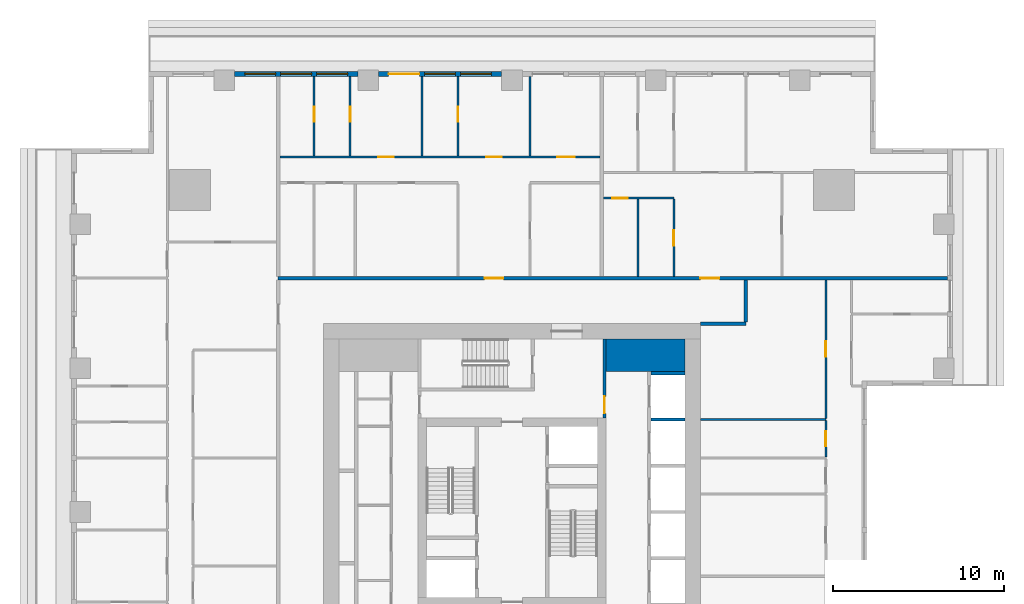
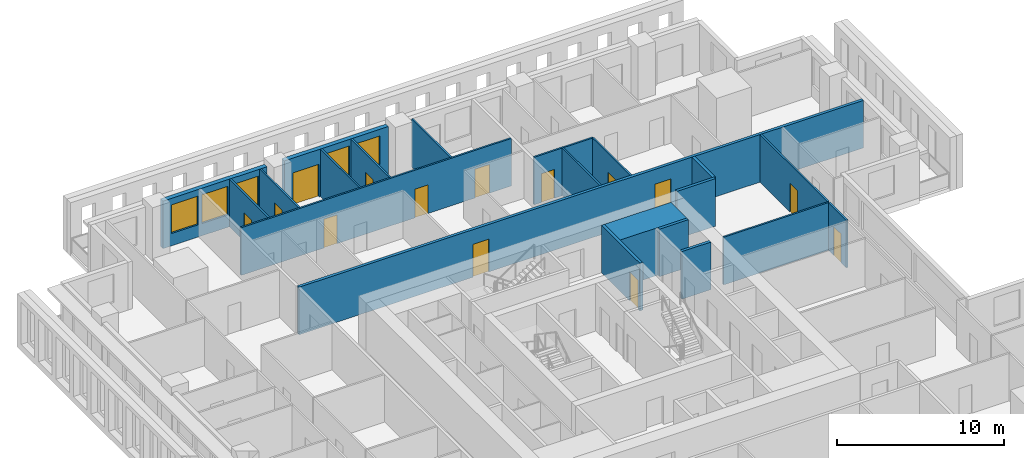
# One storey, part 8 of 16: 21 walls, 14 doors, 5 windows, 19 openings.
"""IFC4 building model written with IfcOpenShell, lengths in metres."""

from ifc_helpers import new_model, si_unit, direction, frame, frame_2d, origin, place, context, subcontext, project, spatial, rectangle, extrude, material, layer, layer_set, type_object, element, fill, save


model = new_model("IFC4")

# Units and contexts
model_context = context("Model", 3, precision=1e-05, world=origin(), true_north=direction((0.0, 1.0)))
body_context = subcontext(model_context, "Body", "Model", "MODEL_VIEW")
ifc_project = project(units=[si_unit("LENGTHUNIT", "METRE"), si_unit("AREAUNIT", "SQUARE_METRE"), si_unit("VOLUMEUNIT", "CUBIC_METRE"), si_unit("PLANEANGLEUNIT", "RADIAN"), si_unit("MASSUNIT", "GRAM", prefix="KILO")], contexts=[model_context])

# Site, building, storey
site_placement = place(None, origin())
site = spatial("IfcSite", under=ifc_project, at=site_placement, CompositionType="ELEMENT")
building_placement = place(site_placement, origin())
building = spatial("IfcBuilding", under=site, at=building_placement, Name="Khepri Terraces", CompositionType="ELEMENT")
storey_placement = place(building_placement, frame((0.0, 0.0, 207.89990234375)))
storey = spatial("IfcBuildingStorey", under=building, at=storey_placement, Name="L49", CompositionType="ELEMENT", Elevation=207.89990234375)

# Walls
ifc_material_1 = material(Name="Concrete C50/60", Category="concrete")
ifc_layer_1 = layer(ifc_material_1, 1.89990234375, Name="Concrete C50/60", Category="concrete")
ifc_layer_set_1 = layer_set([ifc_layer_1], Name="Concrete C50/60")
wall_type_1 = type_object("IfcWallType", Name="Core wall 1900 C50/60", PredefinedType="SHEAR", material=ifc_layer_set_1)
wall_1_placement = place(storey_placement, frame((5.5, 9.14990234375, 0.0), z_axis=(0.0, 0.0, 1.0), x_axis=(1.0, 0.0, 0.0)))
element("IfcWall", 1, at=wall_1_placement, inside=storey, type_object=wall_type_1, Name="Core wall PR04 L49", PredefinedType="SHEAR", context=body_context, shape_type="SweptSolid", body=[
    extrude(rectangle(XDim=4.60009765625, YDim=1.89990234375, at=frame_2d((2.300048828125, 0.0))), origin(), (0.0, 0.0, 1.0), 3.47998046875),
])
ifc_layer_2 = layer(ifc_material_1, 0.199951171875, Name="Concrete C50/60", Category="concrete")
ifc_layer_set_2 = layer_set([ifc_layer_2], Name="Concrete C50/60")
wall_type_2 = type_object("IfcWallType", Name="Core wall 200 C50/60", PredefinedType="SHEAR", material=ifc_layer_set_2)
for number, where, z_axis, x_axis, name in (
    (2, (8.10009765625, 5.39990234375, 0.0), (0.0, 0.0, 1.0), (1.0, 0.0, 0.0), "Core wall SH14 L49"),
    (3, (8.10009765625, 8.10009765625, 0.0), (0.0, 0.0, 1.0), (1.0, 0.0, 0.0), "Core wall SH15 L49"),
):
    element("IfcWall", number, at=place(storey_placement, frame(where, z_axis=z_axis, x_axis=x_axis)), inside=storey, type_object=wall_type_2, Name=name, PredefinedType="SHEAR", context=body_context, shape_type="SweptSolid", body=[
        extrude(rectangle(XDim=2.0, YDim=0.199951171875, at=frame_2d((1.0, 0.0))), origin(), (0.0, 0.0, 1.0), 3.47998046875),
    ])

# Wall, opening, door
ifc_material_2 = material(Name="Fire-rated gypsum board partition")
ifc_layer_3 = layer(ifc_material_2, 0.199951171875, Name="Fire-rated gypsum board partition")
ifc_layer_set_3 = layer_set([ifc_layer_3], Name="Fire-rated gypsum board partition")
wall_type_3 = type_object("IfcWallType", Name="WL-CORE-PART-200", PredefinedType="PARTITIONING", material=ifc_layer_set_3)
wall_2_placement = place(storey_placement, frame((5.39990234375, 5.5, 0.0), z_axis=(0.0, 0.0, 1.0), x_axis=(0.0, 1.0, 0.0)))
wall_2 = element("IfcWall", 4, at=wall_2_placement, inside=storey, type_object=wall_type_3, Name="Core partition PT13 L49", PredefinedType="PARTITIONING", context=body_context, shape_type="SweptSolid", body=[
    extrude(rectangle(XDim=4.60009765625, YDim=0.199951171875, at=frame_2d((2.300048828125, 0.0))), origin(), (0.0, 0.0, 1.0), 3.47998046875),
])
opening_1_placement = place(wall_2_placement, frame((0.25, 0.0, 0.0)))
opening_1 = element("IfcOpeningElement", 5, at=opening_1_placement, cuts=wall_2, Name="Opening L49-C17", PredefinedType="OPENING", context=body_context, shape_type="SweptSolid", body=[
    extrude(rectangle(XDim=1.0, YDim=2.10009765625, at=frame_2d((0.5, 1.050048828125))), frame((0.0, 0.10986328125, 0.0), z_axis=(0.0, -1.0, 0.0), x_axis=(1.0, 0.0, 0.0)), (0.0, 0.0, 1.0), 0.219970703125),
])
ifc_material_3 = material(Name="Painted steel", Category="steel")
door_type_1 = type_object("IfcDoorType", Name="DR-CORE-LOBBY-1000", OperationType="NOTDEFINED", PredefinedType="DOOR", material=ifc_material_3)
door_1_placement = place(opening_1_placement, origin())
door_1 = element("IfcDoor", 6, at=door_1_placement, inside=storey, type_object=door_type_1, Name="Lobby door L49-C17", OperationType="SINGLE_SWING_LEFT", OverallHeight=2.10009765625, OverallWidth=1.0, PredefinedType="DOOR", context=body_context, shape_type="SweptSolid", body=[
    extrude(rectangle(XDim=1.0, YDim=2.10009765625, at=frame_2d((0.5, 1.050048828125))), frame((0.0, 0.02490234375, 0.0), z_axis=(0.0, -1.0, 0.0), x_axis=(1.0, 0.0, 0.0)), (0.0, 0.0, 1.0), 0.050048828125),
])
fill(opening_1, door_1)

# Walls
ifc_material_4 = material(Name="Fire-rated gypsum plasterboard partition, mineral wool")
ifc_layer_4 = layer(ifc_material_4, 0.199951171875, Name="Fire-rated gypsum plasterboard partition, mineral wool")
ifc_layer_set_4 = layer_set([ifc_layer_4], Name="Fire-rated gypsum plasterboard partition, mineral wool")
wall_type_4 = type_object("IfcWallType", Name="WL-CORR-200", PredefinedType="PARTITIONING", material=ifc_layer_set_4)
wall_3_placement = place(storey_placement, frame((11.0, 11.0, 0.0), z_axis=(0.0, 0.0, 1.0), x_axis=(1.0, 0.0, 0.0)))
element("IfcWall", 7, at=wall_3_placement, inside=storey, type_object=wall_type_4, Name="Partition P-070 L49", PredefinedType="PARTITIONING", context=body_context, shape_type="SweptSolid", body=[
    extrude(rectangle(XDim=2.64990234375, YDim=0.199951171875, at=frame_2d((1.324951171875, 0.0))), origin(), (0.0, 0.0, 1.0), 3.47998046875),
])
wall_4_placement = place(storey_placement, frame((13.64990234375, 11.10009765625, 0.0), z_axis=(0.0, 0.0, 1.0), x_axis=(0.0, 1.0, 0.0)))
element("IfcWall", 8, at=wall_4_placement, inside=storey, type_object=wall_type_4, Name="Partition P-071 L49", PredefinedType="PARTITIONING", context=body_context, shape_type="SweptSolid", body=[
    extrude(rectangle(XDim=2.449951171875, YDim=0.199951171875, at=frame_2d((1.22509765625, 0.0))), origin(), (0.0, 0.0, 1.0), 3.47998046875),
])

# Wall, openings, doors
wall_5_placement = place(storey_placement, frame((-13.64990234375, 13.64990234375, 0.0), z_axis=(0.0, 0.0, 1.0), x_axis=(1.0, 0.0, 0.0)))
wall_5 = element("IfcWall", 9, at=wall_5_placement, inside=storey, type_object=wall_type_4, Name="Partition P-075 L49", PredefinedType="PARTITIONING", context=body_context, shape_type="SweptSolid", body=[
    extrude(rectangle(XDim=39.06982421875, YDim=0.199951171875, at=frame_2d((19.534912109375, 0.0))), origin(), (0.0, 0.0, 1.0), 3.47998046875),
])
opening_2_placement = place(wall_5_placement, frame((24.64990234375, 0.0, 0.0)))
opening_2 = element("IfcOpeningElement", 10, at=opening_2_placement, cuts=wall_5, Name="Opening D1", PredefinedType="OPENING", context=body_context, shape_type="SweptSolid", body=[
    extrude(rectangle(XDim=1.10009765625, YDim=2.39990234375, at=frame_2d((0.550048828125, 1.199951171875))), frame((0.0, 0.10986328125, 0.0), z_axis=(0.0, -1.0, 0.0), x_axis=(1.0, 0.0, 0.0)), (0.0, 0.0, 1.0), 0.219970703125),
])
opening_3_placement = place(wall_5_placement, frame((12.050048828125, 0.0, 0.0)))
opening_3 = element("IfcOpeningElement", 11, at=opening_3_placement, cuts=wall_5, Name="Opening D1", PredefinedType="OPENING", context=body_context, shape_type="SweptSolid", body=[
    extrude(rectangle(XDim=1.10009765625, YDim=2.39990234375, at=frame_2d((0.550048828125, 1.199951171875))), frame((0.0, 0.10986328125, 0.0), z_axis=(0.0, -1.0, 0.0), x_axis=(1.0, 0.0, 0.0)), (0.0, 0.0, 1.0), 0.219970703125),
])
ifc_material_5 = material(Name="Solid-core timber door leaf, flat entrance door", Category="wood")
door_type_2 = type_object("IfcDoorType", Name="DR-ENT-1100", OperationType="NOTDEFINED", PredefinedType="DOOR", material=ifc_material_5)
door_2_placement = place(opening_2_placement, origin())
door_2 = element("IfcDoor", 12, at=door_2_placement, inside=storey, type_object=door_type_2, Name="Flat C1 entrance door", OperationType="SINGLE_SWING_RIGHT", OverallHeight=2.39990234375, OverallWidth=1.10009765625, PredefinedType="DOOR", context=body_context, shape_type="SweptSolid", body=[
    extrude(rectangle(XDim=1.10009765625, YDim=2.39990234375, at=frame_2d((0.550048828125, 1.199951171875))), frame((0.0, 0.02490234375, 0.0), z_axis=(0.0, -1.0, 0.0), x_axis=(1.0, 0.0, 0.0)), (0.0, 0.0, 1.0), 0.050048828125),
])
fill(opening_2, door_2)
door_3_placement = place(opening_3_placement, origin())
door_3 = element("IfcDoor", 13, at=door_3_placement, inside=storey, type_object=door_type_2, Name="Flat C2 entrance door", OperationType="SINGLE_SWING_LEFT", OverallHeight=2.39990234375, OverallWidth=1.10009765625, PredefinedType="DOOR", context=body_context, shape_type="SweptSolid", body=[
    extrude(rectangle(XDim=1.10009765625, YDim=2.39990234375, at=frame_2d((0.550048828125, 1.199951171875))), frame((0.0, 0.02490234375, 0.0), z_axis=(0.0, -1.0, 0.0), x_axis=(1.0, 0.0, 0.0)), (0.0, 0.0, 1.0), 0.050048828125),
])
fill(opening_3, door_3)

# Wall, openings, door, windows
ifc_material_6 = material(Name="Precast concrete C50/60 warm stone", Category="masonry")
ifc_layer_5 = layer(ifc_material_6, 0.300048828125, Name="Precast concrete C50/60 warm stone", Category="masonry")
ifc_layer_set_5 = layer_set([ifc_layer_5], Name="Precast concrete C50/60 warm stone")
wall_type_5 = type_object("IfcWallType", Name="WL-EXT-PRECAST-300", PredefinedType="STANDARD", material=ifc_layer_set_5)
wall_6_placement = place(storey_placement, frame((-0.60009765625, 25.570068359375, 0.0), z_axis=(0.0, 0.0, 1.0), x_axis=(-1.0, 0.0, 0.0)))
wall_6 = element("IfcWall", 14, at=wall_6_placement, inside=storey, type_object=wall_type_5, Name="External wall L49 N", PredefinedType="STANDARD", context=body_context, shape_type="SweptSolid", body=[
    extrude(rectangle(XDim=7.199951171875, YDim=0.300048828125, at=frame_2d((3.60009765625, 0.0))), origin(), (0.0, 0.0, 1.0), 3.47998046875),
])
opening_4_placement = place(wall_6_placement, frame((0.60009765625, 0.0, 0.89990234375)))
opening_4 = element("IfcOpeningElement", 15, at=opening_4_placement, cuts=wall_6, Name="Opening W1", PredefinedType="OPENING", context=body_context, shape_type="SweptSolid", body=[
    extrude(rectangle(XDim=1.800048828125, YDim=2.10009765625, at=frame_2d((0.89990234375, 1.050048828125))), frame((0.0, 0.16015625, 0.0), z_axis=(0.0, -1.0, 0.0), x_axis=(1.0, 0.0, 0.0)), (0.0, 0.0, 1.0), 0.320068359375),
])
opening_5_placement = place(wall_6_placement, frame((2.699951171875, 0.0, 0.89990234375)))
opening_5 = element("IfcOpeningElement", 16, at=opening_5_placement, cuts=wall_6, Name="Opening W1", PredefinedType="OPENING", context=body_context, shape_type="SweptSolid", body=[
    extrude(rectangle(XDim=1.800048828125, YDim=2.10009765625, at=frame_2d((0.89990234375, 1.050048828125))), frame((0.0, 0.16015625, 0.0), z_axis=(0.0, -1.0, 0.0), x_axis=(1.0, 0.0, 0.0)), (0.0, 0.0, 1.0), 0.320068359375),
])
opening_6_placement = place(wall_6_placement, frame((4.800048828125, 0.0, 0.0)))
opening_6 = element("IfcOpeningElement", 17, at=opening_6_placement, cuts=wall_6, Name="Opening ED-L49-09", PredefinedType="OPENING", context=body_context, shape_type="SweptSolid", body=[
    extrude(rectangle(XDim=1.800048828125, YDim=2.39990234375, at=frame_2d((0.89990234375, 1.199951171875))), frame((0.0, 0.16015625, 0.0), z_axis=(0.0, -1.0, 0.0), x_axis=(1.0, 0.0, 0.0)), (0.0, 0.0, 1.0), 0.320068359375),
])
ifc_material_7 = material(Name="Anodised aluminium bronze glazed door", Category="aluminium")
door_type_3 = type_object("IfcDoorType", Name="DR-BAL-SLIDE-1800x2400", OperationType="NOTDEFINED", PredefinedType="DOOR", material=ifc_material_7)
door_4_placement = place(opening_6_placement, origin())
door_4 = element("IfcDoor", 18, at=door_4_placement, inside=storey, type_object=door_type_3, Name="Balcony door L49 N", OperationType="SLIDING_TO_RIGHT", OverallHeight=2.39990234375, OverallWidth=1.800048828125, PredefinedType="DOOR", context=body_context, shape_type="SweptSolid", body=[
    extrude(rectangle(XDim=1.800048828125, YDim=2.39990234375, at=frame_2d((0.89990234375, 1.199951171875))), frame((0.0, 0.02490234375, 0.0), z_axis=(0.0, -1.0, 0.0), x_axis=(1.0, 0.0, 0.0)), (0.0, 0.0, 1.0), 0.050048828125),
])
fill(opening_6, door_4)
ifc_material_8 = material(Name="Clear glass", Category="glass")
window_type = type_object("IfcWindowType", Name="WIN-RES-1800x2100", PartitioningType="SINGLE_PANEL", PredefinedType="WINDOW", material=ifc_material_8)
window_1_placement = place(opening_4_placement, origin())
window_1 = element("IfcWindow", 19, at=window_1_placement, inside=storey, type_object=window_type, Name="Window L49 N", OverallHeight=2.10009765625, OverallWidth=1.800048828125, PartitioningType="SINGLE_PANEL", PredefinedType="WINDOW", context=body_context, shape_type="SweptSolid", body=[
    extrude(rectangle(XDim=1.800048828125, YDim=2.10009765625, at=frame_2d((0.89990234375, 1.050048828125))), frame((0.0, 0.030029296875, 0.0), z_axis=(0.0, -1.0, 0.0), x_axis=(1.0, 0.0, 0.0)), (0.0, 0.0, 1.0), 0.06005859375),
])
fill(opening_4, window_1)
window_2_placement = place(opening_5_placement, origin())
window_2 = element("IfcWindow", 20, at=window_2_placement, inside=storey, type_object=window_type, Name="Window L49 N", OverallHeight=2.10009765625, OverallWidth=1.800048828125, PartitioningType="SINGLE_PANEL", PredefinedType="WINDOW", context=body_context, shape_type="SweptSolid", body=[
    extrude(rectangle(XDim=1.800048828125, YDim=2.10009765625, at=frame_2d((0.89990234375, 1.050048828125))), frame((0.0, 0.030029296875, 0.0), z_axis=(0.0, -1.0, 0.0), x_axis=(1.0, 0.0, 0.0)), (0.0, 0.0, 1.0), 0.06005859375),
])
fill(opening_5, window_2)

# Wall, openings, windows
wall_7_placement = place(storey_placement, frame((-9.0, 25.570068359375, 0.0), z_axis=(0.0, 0.0, 1.0), x_axis=(-1.0, 0.0, 0.0)))
wall_7 = element("IfcWall", 21, at=wall_7_placement, inside=storey, type_object=wall_type_5, Name="External wall L49 N", PredefinedType="STANDARD", context=body_context, shape_type="SweptSolid", body=[
    extrude(rectangle(XDim=7.199951171875, YDim=0.300048828125, at=frame_2d((3.60009765625, 0.0))), origin(), (0.0, 0.0, 1.0), 3.47998046875),
])
opening_7_placement = place(wall_7_placement, frame((0.60009765625, 0.0, 0.89990234375)))
opening_7 = element("IfcOpeningElement", 22, at=opening_7_placement, cuts=wall_7, Name="Opening W1", PredefinedType="OPENING", context=body_context, shape_type="SweptSolid", body=[
    extrude(rectangle(XDim=1.800048828125, YDim=2.10009765625, at=frame_2d((0.89990234375, 1.050048828125))), frame((0.0, 0.16015625, 0.0), z_axis=(0.0, -1.0, 0.0), x_axis=(1.0, 0.0, 0.0)), (0.0, 0.0, 1.0), 0.320068359375),
])
opening_8_placement = place(wall_7_placement, frame((2.699951171875, 0.0, 0.89990234375)))
opening_8 = element("IfcOpeningElement", 23, at=opening_8_placement, cuts=wall_7, Name="Opening W1", PredefinedType="OPENING", context=body_context, shape_type="SweptSolid", body=[
    extrude(rectangle(XDim=1.800048828125, YDim=2.10009765625, at=frame_2d((0.89990234375, 1.050048828125))), frame((0.0, 0.16015625, 0.0), z_axis=(0.0, -1.0, 0.0), x_axis=(1.0, 0.0, 0.0)), (0.0, 0.0, 1.0), 0.320068359375),
])
opening_9_placement = place(wall_7_placement, frame((4.800048828125, 0.0, 0.89990234375)))
opening_9 = element("IfcOpeningElement", 24, at=opening_9_placement, cuts=wall_7, Name="Opening W1", PredefinedType="OPENING", context=body_context, shape_type="SweptSolid", body=[
    extrude(rectangle(XDim=1.800048828125, YDim=2.10009765625, at=frame_2d((0.89990234375, 1.050048828125))), frame((0.0, 0.16015625, 0.0), z_axis=(0.0, -1.0, 0.0), x_axis=(1.0, 0.0, 0.0)), (0.0, 0.0, 1.0), 0.320068359375),
])
window_3_placement = place(opening_7_placement, origin())
window_3 = element("IfcWindow", 25, at=window_3_placement, inside=storey, type_object=window_type, Name="Window L49 N", OverallHeight=2.10009765625, OverallWidth=1.800048828125, PartitioningType="SINGLE_PANEL", PredefinedType="WINDOW", context=body_context, shape_type="SweptSolid", body=[
    extrude(rectangle(XDim=1.800048828125, YDim=2.10009765625, at=frame_2d((0.89990234375, 1.050048828125))), frame((0.0, 0.030029296875, 0.0), z_axis=(0.0, -1.0, 0.0), x_axis=(1.0, 0.0, 0.0)), (0.0, 0.0, 1.0), 0.06005859375),
])
fill(opening_7, window_3)
window_4_placement = place(opening_8_placement, origin())
window_4 = element("IfcWindow", 26, at=window_4_placement, inside=storey, type_object=window_type, Name="Window L49 N", OverallHeight=2.10009765625, OverallWidth=1.800048828125, PartitioningType="SINGLE_PANEL", PredefinedType="WINDOW", context=body_context, shape_type="SweptSolid", body=[
    extrude(rectangle(XDim=1.800048828125, YDim=2.10009765625, at=frame_2d((0.89990234375, 1.050048828125))), frame((0.0, 0.030029296875, 0.0), z_axis=(0.0, -1.0, 0.0), x_axis=(1.0, 0.0, 0.0)), (0.0, 0.0, 1.0), 0.06005859375),
])
fill(opening_8, window_4)
window_5_placement = place(opening_9_placement, origin())
window_5 = element("IfcWindow", 27, at=window_5_placement, inside=storey, type_object=window_type, Name="Window L49 N", OverallHeight=2.10009765625, OverallWidth=1.800048828125, PartitioningType="SINGLE_PANEL", PredefinedType="WINDOW", context=body_context, shape_type="SweptSolid", body=[
    extrude(rectangle(XDim=1.800048828125, YDim=2.10009765625, at=frame_2d((0.89990234375, 1.050048828125))), frame((0.0, 0.030029296875, 0.0), z_axis=(0.0, -1.0, 0.0), x_axis=(1.0, 0.0, 0.0)), (0.0, 0.0, 1.0), 0.06005859375),
])
fill(opening_9, window_5)

# Wall, opening, door
ifc_material_9 = material(Name="Gypsum plasterboard partition")
ifc_layer_6 = layer(ifc_material_9, 0.1201171875, Name="Gypsum plasterboard partition")
ifc_layer_set_6 = layer_set([ifc_layer_6], Name="Gypsum plasterboard partition")
wall_type_6 = type_object("IfcWallType", Name="WL-PART-120", PredefinedType="PARTITIONING", material=ifc_layer_set_6)
wall_8_placement = place(storey_placement, frame((18.320068359375, 3.2099609375, 0.0), z_axis=(0.0, 0.0, 1.0), x_axis=(0.0, 1.0, 0.0)))
wall_8 = element("IfcWall", 28, at=wall_8_placement, inside=storey, type_object=wall_type_6, Name="Partition P-060 L49", PredefinedType="PARTITIONING", context=body_context, shape_type="SweptSolid", body=[
    extrude(rectangle(XDim=2.130126953125, YDim=0.1201171875, at=frame_2d((1.06494140625, 0.0))), origin(), (0.0, 0.0, 1.0), 3.47998046875),
])
opening_10_placement = place(wall_8_placement, frame((0.614990234375, 0.0, 0.0)))
opening_10 = element("IfcOpeningElement", 29, at=opening_10_placement, cuts=wall_8, Name="Opening D4", PredefinedType="OPENING", context=body_context, shape_type="SweptSolid", body=[
    extrude(rectangle(XDim=0.89990234375, YDim=2.10009765625, at=frame_2d((0.449951171875, 1.050048828125))), frame((0.0, 0.070068359375, 0.0), z_axis=(0.0, -1.0, 0.0), x_axis=(1.0, 0.0, 0.0)), (0.0, 0.0, 1.0), 0.14013671875),
])
ifc_material_10 = material(Name="Timber door leaf, moisture resistant", Category="wood")
door_type_4 = type_object("IfcDoorType", Name="DR-WET-900", OperationType="NOTDEFINED", PredefinedType="DOOR", material=ifc_material_10)
door_5_placement = place(opening_10_placement, origin())
door_5 = element("IfcDoor", 30, at=door_5_placement, inside=storey, type_object=door_type_4, Name="Door Guest Bathroom", OperationType="SINGLE_SWING_RIGHT", OverallHeight=2.10009765625, OverallWidth=0.89990234375, PredefinedType="DOOR", context=body_context, shape_type="SweptSolid", body=[
    extrude(rectangle(XDim=0.89990234375, YDim=2.10009765625, at=frame_2d((0.449951171875, 1.050048828125))), frame((0.0, 0.02490234375, 0.0), z_axis=(0.0, -1.0, 0.0), x_axis=(1.0, 0.0, 0.0)), (0.0, 0.0, 1.0), 0.050048828125),
])
fill(opening_10, door_5)

# Wall
wall_9_placement = place(storey_placement, frame((11.0, 5.39990234375, 0.0), z_axis=(0.0, 0.0, 1.0), x_axis=(1.0, 0.0, 0.0)))
element("IfcWall", 31, at=wall_9_placement, inside=storey, type_object=wall_type_6, Name="Partition P-063 L49", PredefinedType="PARTITIONING", context=body_context, shape_type="SweptSolid", body=[
    extrude(rectangle(XDim=7.320068359375, YDim=0.1201171875, at=frame_2d((3.66015625, 0.0))), origin(), (0.0, 0.0, 1.0), 3.47998046875),
])

# Wall, opening, door
wall_10_placement = place(storey_placement, frame((18.320068359375, 5.4599609375, 0.0), z_axis=(0.0, 0.0, 1.0), x_axis=(0.0, 1.0, 0.0)))
wall_10 = element("IfcWall", 32, at=wall_10_placement, inside=storey, type_object=wall_type_6, Name="Partition P-064 L49", PredefinedType="PARTITIONING", context=body_context, shape_type="SweptSolid", body=[
    extrude(rectangle(XDim=8.090087890625, YDim=0.1201171875, at=frame_2d((4.044921875, 0.0))), origin(), (0.0, 0.0, 1.0), 3.47998046875),
])
opening_11_placement = place(wall_10_placement, frame((3.614990234375, 0.0, 0.0)))
opening_11 = element("IfcOpeningElement", 33, at=opening_11_placement, cuts=wall_10, Name="Opening D3", PredefinedType="OPENING", context=body_context, shape_type="SweptSolid", body=[
    extrude(rectangle(XDim=0.89990234375, YDim=2.10009765625, at=frame_2d((0.449951171875, 1.050048828125))), frame((0.0, 0.070068359375, 0.0), z_axis=(0.0, -1.0, 0.0), x_axis=(1.0, 0.0, 0.0)), (0.0, 0.0, 1.0), 0.14013671875),
])
ifc_material_11 = material(Name="Timber door leaf", Category="wood")
door_type_5 = type_object("IfcDoorType", Name="DR-INT-900", OperationType="NOTDEFINED", PredefinedType="DOOR", material=ifc_material_11)
door_6_placement = place(opening_11_placement, origin())
door_6 = element("IfcDoor", 34, at=door_6_placement, inside=storey, type_object=door_type_5, Name="Door Library", OperationType="SINGLE_SWING_RIGHT", OverallHeight=2.10009765625, OverallWidth=0.89990234375, PredefinedType="DOOR", context=body_context, shape_type="SweptSolid", body=[
    extrude(rectangle(XDim=0.89990234375, YDim=2.10009765625, at=frame_2d((0.449951171875, 1.050048828125))), frame((0.0, 0.02490234375, 0.0), z_axis=(0.0, -1.0, 0.0), x_axis=(1.0, 0.0, 0.0)), (0.0, 0.0, 1.0), 0.050048828125),
])
fill(opening_11, door_6)

# Wall
wall_11_placement = place(storey_placement, frame((7.35009765625, 13.75, 0.0), z_axis=(0.0, 0.0, 1.0), x_axis=(0.0, 1.0, 0.0)))
element("IfcWall", 35, at=wall_11_placement, inside=storey, type_object=wall_type_6, Name="Partition P-083 L49", PredefinedType="PARTITIONING", context=body_context, shape_type="SweptSolid", body=[
    extrude(rectangle(XDim=4.510009765625, YDim=0.1201171875, at=frame_2d((2.2548828125, 0.0))), origin(), (0.0, 0.0, 1.0), 3.47998046875),
])

# Wall, opening, door
wall_12_placement = place(storey_placement, frame((9.449951171875, 13.75, 0.0), z_axis=(0.0, 0.0, 1.0), x_axis=(0.0, 1.0, 0.0)))
wall_12 = element("IfcWall", 36, at=wall_12_placement, inside=storey, type_object=wall_type_6, Name="Partition P-084 L49", PredefinedType="PARTITIONING", context=body_context, shape_type="SweptSolid", body=[
    extrude(rectangle(XDim=4.510009765625, YDim=0.1201171875, at=frame_2d((2.2548828125, 0.0))), origin(), (0.0, 0.0, 1.0), 3.47998046875),
])
opening_12_placement = place(wall_12_placement, frame((1.784912109375, 0.0, 0.0)))
opening_12 = element("IfcOpeningElement", 37, at=opening_12_placement, cuts=wall_12, Name="Opening D4", PredefinedType="OPENING", context=body_context, shape_type="SweptSolid", body=[
    extrude(rectangle(XDim=0.89990234375, YDim=2.10009765625, at=frame_2d((0.449951171875, 1.050048828125))), frame((0.0, 0.070068359375, 0.0), z_axis=(0.0, -1.0, 0.0), x_axis=(1.0, 0.0, 0.0)), (0.0, 0.0, 1.0), 0.14013671875),
])
door_7_placement = place(opening_12_placement, origin())
door_7 = element("IfcDoor", 38, at=door_7_placement, inside=storey, type_object=door_type_4, Name="Door Guest Bathroom", OperationType="SINGLE_SWING_LEFT", OverallHeight=2.10009765625, OverallWidth=0.89990234375, PredefinedType="DOOR", context=body_context, shape_type="SweptSolid", body=[
    extrude(rectangle(XDim=0.89990234375, YDim=2.10009765625, at=frame_2d((0.449951171875, 1.050048828125))), frame((0.0, 0.02490234375, 0.0), z_axis=(0.0, -1.0, 0.0), x_axis=(1.0, 0.0, 0.0)), (0.0, 0.0, 1.0), 0.050048828125),
])
fill(opening_12, door_7)

wall_13_placement = place(storey_placement, frame((5.35009765625, 18.320068359375, 0.0), z_axis=(0.0, 0.0, 1.0), x_axis=(1.0, 0.0, 0.0)))
wall_13 = element("IfcWall", 39, at=wall_13_placement, inside=storey, type_object=wall_type_6, Name="Partition P-088 L49", PredefinedType="PARTITIONING", context=body_context, shape_type="SweptSolid", body=[
    extrude(rectangle(XDim=4.099853515625, YDim=0.1201171875, at=frame_2d((2.0498046875, 0.0))), origin(), (0.0, 0.0, 1.0), 3.47998046875),
])
opening_13_placement = place(wall_13_placement, frame((0.5, 0.0, 0.0)))
opening_13 = element("IfcOpeningElement", 40, at=opening_13_placement, cuts=wall_13, Name="Opening D3", PredefinedType="OPENING", context=body_context, shape_type="SweptSolid", body=[
    extrude(rectangle(XDim=0.89990234375, YDim=2.10009765625, at=frame_2d((0.449951171875, 1.050048828125))), frame((0.0, 0.070068359375, 0.0), z_axis=(0.0, -1.0, 0.0), x_axis=(1.0, 0.0, 0.0)), (0.0, 0.0, 1.0), 0.14013671875),
])
door_8_placement = place(opening_13_placement, frame((0.89990234375, 0.0, 0.0), z_axis=(0.0, 0.0, 1.0), x_axis=(-1.0, 0.0, 0.0)))
door_8 = element("IfcDoor", 41, at=door_8_placement, inside=storey, type_object=door_type_5, Name="Door Kitchen", OperationType="SINGLE_SWING_RIGHT", OverallHeight=2.10009765625, OverallWidth=0.89990234375, PredefinedType="DOOR", context=body_context, shape_type="SweptSolid", body=[
    extrude(rectangle(XDim=0.89990234375, YDim=2.10009765625, at=frame_2d((0.449951171875, 1.050048828125))), frame((0.0, 0.02490234375, 0.0), z_axis=(0.0, -1.0, 0.0), x_axis=(1.0, 0.0, 0.0)), (0.0, 0.0, 1.0), 0.050048828125),
])
fill(opening_13, door_8)

# Wall, openings, doors
wall_14_placement = place(storey_placement, frame((-13.550048828125, 20.719970703125, 0.0), z_axis=(0.0, 0.0, 1.0), x_axis=(1.0, 0.0, 0.0)))
wall_14 = element("IfcWall", 42, at=wall_14_placement, inside=storey, type_object=wall_type_6, Name="Partition P-096 L49", PredefinedType="PARTITIONING", context=body_context, shape_type="SweptSolid", body=[
    extrude(rectangle(XDim=18.699951171875, YDim=0.1201171875, at=frame_2d((9.35009765625, 0.0))), origin(), (0.0, 0.0, 1.0), 3.47998046875),
])
opening_14_placement = place(wall_14_placement, frame((16.199951171875, 0.0, 0.0)))
opening_14 = element("IfcOpeningElement", 43, at=opening_14_placement, cuts=wall_14, Name="Opening D2", PredefinedType="OPENING", context=body_context, shape_type="SweptSolid", body=[
    extrude(rectangle(XDim=1.0, YDim=2.10009765625, at=frame_2d((0.5, 1.050048828125))), frame((0.0, 0.070068359375, 0.0), z_axis=(0.0, -1.0, 0.0), x_axis=(1.0, 0.0, 0.0)), (0.0, 0.0, 1.0), 0.14013671875),
])
opening_15_placement = place(wall_14_placement, frame((12.050048828125, 0.0, 0.0)))
opening_15 = element("IfcOpeningElement", 44, at=opening_15_placement, cuts=wall_14, Name="Opening D3", PredefinedType="OPENING", context=body_context, shape_type="SweptSolid", body=[
    extrude(rectangle(XDim=0.89990234375, YDim=2.10009765625, at=frame_2d((0.449951171875, 1.050048828125))), frame((0.0, 0.070068359375, 0.0), z_axis=(0.0, -1.0, 0.0), x_axis=(1.0, 0.0, 0.0)), (0.0, 0.0, 1.0), 0.14013671875),
])
opening_16_placement = place(wall_14_placement, frame((5.75, 0.0, 0.0)))
opening_16 = element("IfcOpeningElement", 45, at=opening_16_placement, cuts=wall_14, Name="Opening D3", PredefinedType="OPENING", context=body_context, shape_type="SweptSolid", body=[
    extrude(rectangle(XDim=0.89990234375, YDim=2.10009765625, at=frame_2d((0.449951171875, 1.050048828125))), frame((0.0, 0.070068359375, 0.0), z_axis=(0.0, -1.0, 0.0), x_axis=(1.0, 0.0, 0.0)), (0.0, 0.0, 1.0), 0.14013671875),
])
ifc_material_12 = material(Name="Timber door leaf, living room door", Category="wood")
door_type_6 = type_object("IfcDoorType", Name="DR-INT-1000", OperationType="NOTDEFINED", PredefinedType="DOOR", material=ifc_material_12)
door_9_placement = place(opening_14_placement, origin())
door_9 = element("IfcDoor", 46, at=door_9_placement, inside=storey, type_object=door_type_6, Name="Door Living Room", OperationType="SINGLE_SWING_RIGHT", OverallHeight=2.10009765625, OverallWidth=1.0, PredefinedType="DOOR", context=body_context, shape_type="SweptSolid", body=[
    extrude(rectangle(XDim=1.0, YDim=2.10009765625, at=frame_2d((0.5, 1.050048828125))), frame((0.0, 0.02490234375, 0.0), z_axis=(0.0, -1.0, 0.0), x_axis=(1.0, 0.0, 0.0)), (0.0, 0.0, 1.0), 0.050048828125),
])
fill(opening_14, door_9)
door_10_placement = place(opening_15_placement, origin())
door_10 = element("IfcDoor", 47, at=door_10_placement, inside=storey, type_object=door_type_5, Name="Door Bedroom", OperationType="SINGLE_SWING_RIGHT", OverallHeight=2.10009765625, OverallWidth=0.89990234375, PredefinedType="DOOR", context=body_context, shape_type="SweptSolid", body=[
    extrude(rectangle(XDim=0.89990234375, YDim=2.10009765625, at=frame_2d((0.449951171875, 1.050048828125))), frame((0.0, 0.02490234375, 0.0), z_axis=(0.0, -1.0, 0.0), x_axis=(1.0, 0.0, 0.0)), (0.0, 0.0, 1.0), 0.050048828125),
])
fill(opening_15, door_10)
door_11_placement = place(opening_16_placement, origin())
door_11 = element("IfcDoor", 48, at=door_11_placement, inside=storey, type_object=door_type_5, Name="Door Master Bedroom", OperationType="SINGLE_SWING_LEFT", OverallHeight=2.10009765625, OverallWidth=0.89990234375, PredefinedType="DOOR", context=body_context, shape_type="SweptSolid", body=[
    extrude(rectangle(XDim=0.89990234375, YDim=2.10009765625, at=frame_2d((0.449951171875, 1.050048828125))), frame((0.0, 0.02490234375, 0.0), z_axis=(0.0, -1.0, 0.0), x_axis=(1.0, 0.0, 0.0)), (0.0, 0.0, 1.0), 0.050048828125),
])
fill(opening_16, door_11)

# Wall, opening, door
wall_15_placement = place(storey_placement, frame((-11.550048828125, 20.780029296875, 0.0), z_axis=(0.0, 0.0, 1.0), x_axis=(0.0, 1.0, 0.0)))
wall_15 = element("IfcWall", 49, at=wall_15_placement, inside=storey, type_object=wall_type_6, Name="Partition P-097 L49", PredefinedType="PARTITIONING", context=body_context, shape_type="SweptSolid", body=[
    extrude(rectangle(XDim=4.639892578125, YDim=0.1201171875, at=frame_2d((2.31982421875, 0.0))), origin(), (0.0, 0.0, 1.0), 3.47998046875),
])
opening_17_placement = place(wall_15_placement, frame((1.989990234375, 0.0, 0.0)))
opening_17 = element("IfcOpeningElement", 50, at=opening_17_placement, cuts=wall_15, Name="Opening D4", PredefinedType="OPENING", context=body_context, shape_type="SweptSolid", body=[
    extrude(rectangle(XDim=0.89990234375, YDim=2.10009765625, at=frame_2d((0.449951171875, 1.050048828125))), frame((0.0, 0.070068359375, 0.0), z_axis=(0.0, -1.0, 0.0), x_axis=(1.0, 0.0, 0.0)), (0.0, 0.0, 1.0), 0.14013671875),
])
door_12_placement = place(opening_17_placement, origin())
door_12 = element("IfcDoor", 51, at=door_12_placement, inside=storey, type_object=door_type_4, Name="Door Bathroom", OperationType="SINGLE_SWING_RIGHT", OverallHeight=2.10009765625, OverallWidth=0.89990234375, PredefinedType="DOOR", context=body_context, shape_type="SweptSolid", body=[
    extrude(rectangle(XDim=0.89990234375, YDim=2.10009765625, at=frame_2d((0.449951171875, 1.050048828125))), frame((0.0, 0.02490234375, 0.0), z_axis=(0.0, -1.0, 0.0), x_axis=(1.0, 0.0, 0.0)), (0.0, 0.0, 1.0), 0.050048828125),
])
fill(opening_17, door_12)

wall_16_placement = place(storey_placement, frame((-9.449951171875, 20.780029296875, 0.0), z_axis=(0.0, 0.0, 1.0), x_axis=(0.0, 1.0, 0.0)))
wall_16 = element("IfcWall", 52, at=wall_16_placement, inside=storey, type_object=wall_type_6, Name="Partition P-098 L49", PredefinedType="PARTITIONING", context=body_context, shape_type="SweptSolid", body=[
    extrude(rectangle(XDim=4.639892578125, YDim=0.1201171875, at=frame_2d((2.31982421875, 0.0))), origin(), (0.0, 0.0, 1.0), 3.47998046875),
])
opening_18_placement = place(wall_16_placement, frame((1.989990234375, 0.0, 0.0)))
opening_18 = element("IfcOpeningElement", 53, at=opening_18_placement, cuts=wall_16, Name="Opening D3", PredefinedType="OPENING", context=body_context, shape_type="SweptSolid", body=[
    extrude(rectangle(XDim=0.89990234375, YDim=2.10009765625, at=frame_2d((0.449951171875, 1.050048828125))), frame((0.0, 0.070068359375, 0.0), z_axis=(0.0, -1.0, 0.0), x_axis=(1.0, 0.0, 0.0)), (0.0, 0.0, 1.0), 0.14013671875),
])
door_13_placement = place(opening_18_placement, origin())
door_13 = element("IfcDoor", 54, at=door_13_placement, inside=storey, type_object=door_type_5, Name="Door Dressing Room", OperationType="SINGLE_SWING_RIGHT", OverallHeight=2.10009765625, OverallWidth=0.89990234375, PredefinedType="DOOR", context=body_context, shape_type="SweptSolid", body=[
    extrude(rectangle(XDim=0.89990234375, YDim=2.10009765625, at=frame_2d((0.449951171875, 1.050048828125))), frame((0.0, 0.02490234375, 0.0), z_axis=(0.0, -1.0, 0.0), x_axis=(1.0, 0.0, 0.0)), (0.0, 0.0, 1.0), 0.050048828125),
])
fill(opening_18, door_13)

# Wall
wall_17_placement = place(storey_placement, frame((-5.25, 20.780029296875, 0.0), z_axis=(0.0, 0.0, 1.0), x_axis=(0.0, 1.0, 0.0)))
element("IfcWall", 55, at=wall_17_placement, inside=storey, type_object=wall_type_6, Name="Partition P-099 L49", PredefinedType="PARTITIONING", context=body_context, shape_type="SweptSolid", body=[
    extrude(rectangle(XDim=4.639892578125, YDim=0.1201171875, at=frame_2d((2.31982421875, 0.0))), origin(), (0.0, 0.0, 1.0), 3.47998046875),
])

# Wall, opening, door
wall_18_placement = place(storey_placement, frame((-3.14990234375, 20.780029296875, 0.0), z_axis=(0.0, 0.0, 1.0), x_axis=(0.0, 1.0, 0.0)))
wall_18 = element("IfcWall", 56, at=wall_18_placement, inside=storey, type_object=wall_type_6, Name="Partition P-100 L49", PredefinedType="PARTITIONING", context=body_context, shape_type="SweptSolid", body=[
    extrude(rectangle(XDim=4.639892578125, YDim=0.1201171875, at=frame_2d((2.31982421875, 0.0))), origin(), (0.0, 0.0, 1.0), 3.47998046875),
])
opening_19_placement = place(wall_18_placement, frame((1.989990234375, 0.0, 0.0)))
opening_19 = element("IfcOpeningElement", 57, at=opening_19_placement, cuts=wall_18, Name="Opening D4", PredefinedType="OPENING", context=body_context, shape_type="SweptSolid", body=[
    extrude(rectangle(XDim=0.89990234375, YDim=2.10009765625, at=frame_2d((0.449951171875, 1.050048828125))), frame((0.0, 0.070068359375, 0.0), z_axis=(0.0, -1.0, 0.0), x_axis=(1.0, 0.0, 0.0)), (0.0, 0.0, 1.0), 0.14013671875),
])
door_14_placement = place(opening_19_placement, origin())
door_14 = element("IfcDoor", 58, at=door_14_placement, inside=storey, type_object=door_type_4, Name="Door Bathroom", OperationType="SINGLE_SWING_RIGHT", OverallHeight=2.10009765625, OverallWidth=0.89990234375, PredefinedType="DOOR", context=body_context, shape_type="SweptSolid", body=[
    extrude(rectangle(XDim=0.89990234375, YDim=2.10009765625, at=frame_2d((0.449951171875, 1.050048828125))), frame((0.0, 0.02490234375, 0.0), z_axis=(0.0, -1.0, 0.0), x_axis=(1.0, 0.0, 0.0)), (0.0, 0.0, 1.0), 0.050048828125),
])
fill(opening_19, door_14)

# Wall
wall_19_placement = place(storey_placement, frame((1.050048828125, 20.780029296875, 0.0), z_axis=(0.0, 0.0, 1.0), x_axis=(0.0, 1.0, 0.0)))
element("IfcWall", 59, at=wall_19_placement, inside=storey, type_object=wall_type_6, Name="Partition P-101 L49", PredefinedType="PARTITIONING", context=body_context, shape_type="SweptSolid", body=[
    extrude(rectangle(XDim=4.639892578125, YDim=0.1201171875, at=frame_2d((2.31982421875, 0.0))), origin(), (0.0, 0.0, 1.0), 3.47998046875),
])

save(model, "model.ifc")
